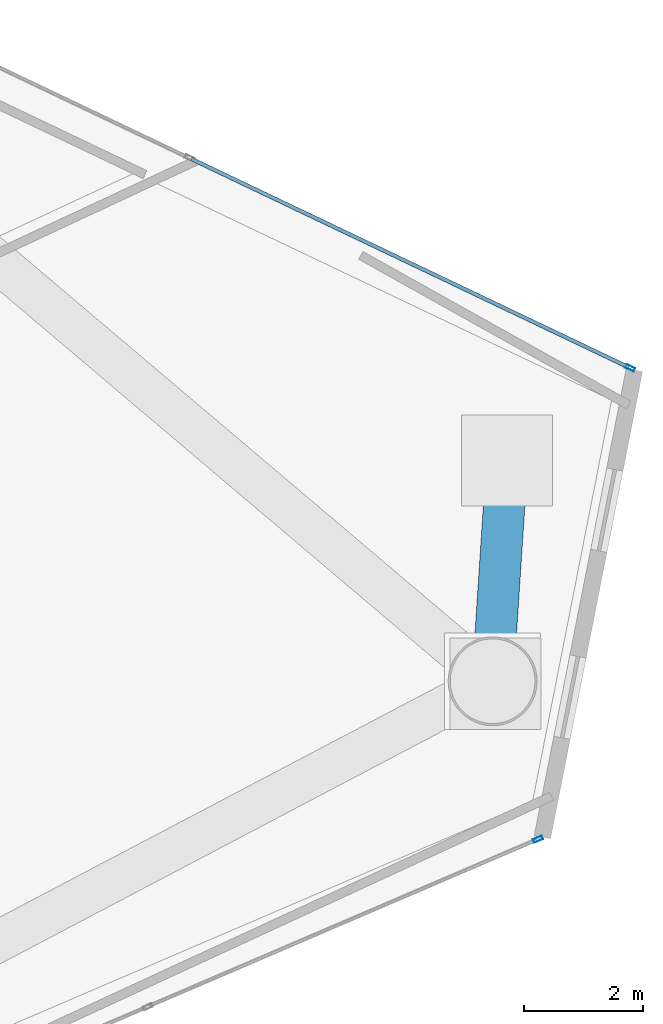
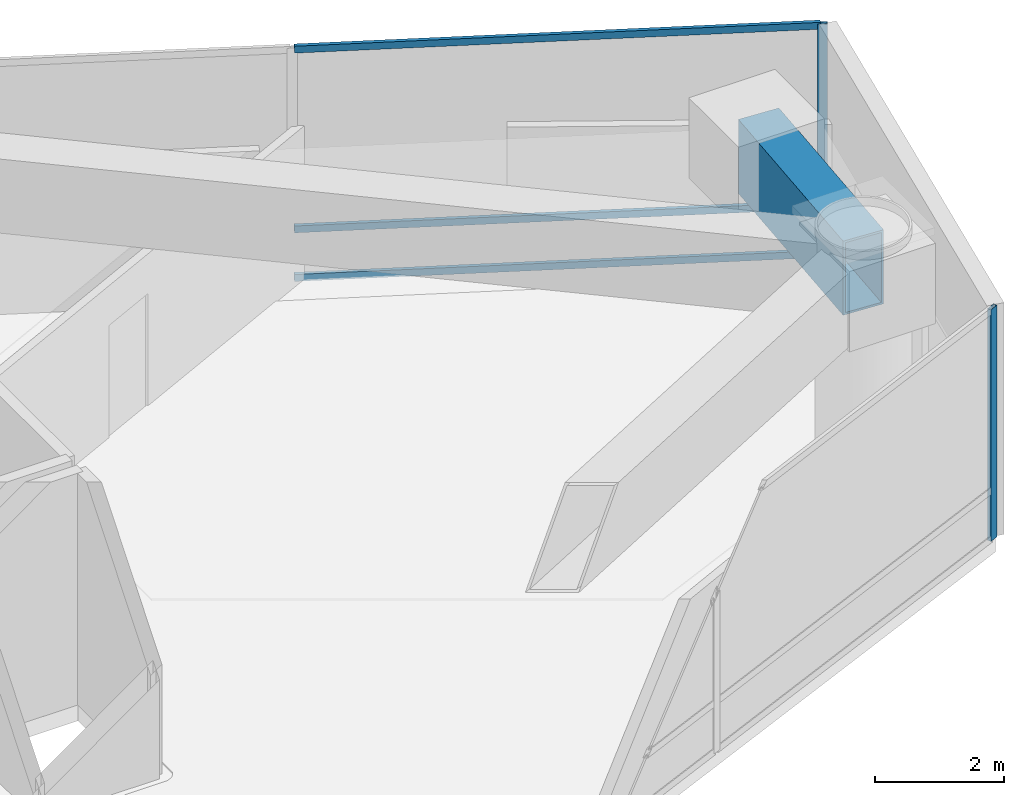
# One storey, part 15 of 22: 5 members, 1 beam, 2 elements without a shape of their own.
"""IFC4 building model written with IfcOpenShell, lengths in metres."""

from ifc_helpers import new_model, si_unit, direction, frame, origin, origin_2d, place, context, subcontext, project, spatial, hollow_rectangle, extrude, material, layer, layer_set, material_profile, profile_set, type_object, element, aggregate, save


model = new_model("IFC4")

# Units and contexts
model_context = context("Model", 3, precision=1e-05, world=origin(), true_north=direction((0.0, 1.0)))
body_context = subcontext(model_context, "Body", "Model", "MODEL_VIEW")
ifc_project = project(units=[si_unit("LENGTHUNIT", "METRE"), si_unit("AREAUNIT", "SQUARE_METRE"), si_unit("VOLUMEUNIT", "CUBIC_METRE"), si_unit("PLANEANGLEUNIT", "RADIAN"), si_unit("MASSUNIT", "GRAM", prefix="KILO")], contexts=[model_context])

# Site, building, storey
site_placement = place(None, origin())
site = spatial("IfcSite", under=ifc_project, at=site_placement, CompositionType="ELEMENT")
building_placement = place(site_placement, origin())
building = spatial("IfcBuilding", under=site, at=building_placement, Name="Qianvela Tower", CompositionType="ELEMENT")
storey_placement = place(building_placement, frame((0.0, 0.0, 138.5)))
storey = spatial("IfcBuildingStorey", under=building, at=storey_placement, Name="L35", CompositionType="ELEMENT", Elevation=138.5)

# Beam
ifc_material_1 = material(Name="Steel Q420GJC", Category="steel")
ifc_material_profile_1 = material_profile(ifc_material_1, hollow_rectangle(XDim=0.699951171875, YDim=1.39990234375, WallThickness=0.0400390625, at=origin_2d()), Name="TG-BOX-1400x700x40")
ifc_profile_set_1 = profile_set([ifc_material_profile_1], Name="Steel Q420GJC")
beam_type = type_object("IfcBeamType", Name="BM-TG-STEP-1400", PredefinedType="BEAM", material=ifc_profile_set_1)
beam_placement = place(storey_placement, frame((57.194091796875, 23.9580078125, 3.677978515625), z_axis=(0.065432156024, 0.997857020298, 0.0), x_axis=(-0.997857020298, 0.065432156024, 0.0)))
element("IfcBeam", 1, at=beam_placement, inside=storey, type_object=beam_type, Name="L35 Zone-Step Transfer Girder 1", PredefinedType="BEAM", context=body_context, shape_type="SweptSolid", body=[
    extrude(hollow_rectangle(XDim=0.699951171875, YDim=1.39990234375, WallThickness=0.0400390625, at=origin_2d()), origin(), (0.0, 0.0, 1.0), 3.667724609375),
])

# Curtain wall, member
ifc_material_2 = material(Name="Anodised Architectural Aluminium and Low-E Glass", Category="aluminium")
ifc_layer = layer(ifc_material_2, 0.169921875)
ifc_layer_set = layer_set([ifc_layer], Name="Anodised Architectural Aluminium and Low-E Glass")
curtain_wall_type = type_object("IfcCurtainWallType", Name="CW-COLIV-Z34", PredefinedType="USERDEFINED", material=ifc_layer_set)
curtain_wall_1_placement = place(storey_placement, origin())
curtain_wall_1 = element("IfcCurtainWall", 2, at=curtain_wall_1_placement, inside=storey, type_object=curtain_wall_type, Name="L35 CW-COLIV-Z34 Curtain Wall 02A", ObjectType="CURTAIN_WALL_SYSTEM", PredefinedType="USERDEFINED")
ifc_material_3 = material(Name="Anodised Architectural Aluminium 6063-T6", Category="aluminium")
ifc_material_profile_2 = material_profile(ifc_material_3, hollow_rectangle(XDim=0.06494140625, YDim=0.159912109375, WallThickness=0.0048828125, at=origin_2d()), Name="ALU-MULL-65x160")
ifc_profile_set_2 = profile_set([ifc_material_profile_2], Name="Anodised Architectural Aluminium 6063-T6")
member_type_1 = type_object("IfcMemberType", Name="CW-COLIV-Z34-MULL", PredefinedType="MULLION", material=ifc_profile_set_2)
member_1_placement = place(storey_placement, frame((59.512939453125, 29.243896484375, 0.0), z_axis=(0.0, 0.0, 1.0), x_axis=(-0.430089499063, -0.90278625532, 0.0)))
member_1 = element("IfcMember", 3, at=member_1_placement, type_object=member_type_1, Name="CW-4 mullion 1", PredefinedType="MULLION", context=body_context, shape_type="SweptSolid", body=[
    extrude(hollow_rectangle(XDim=0.06494140625, YDim=0.159912109375, WallThickness=0.0048828125, at=origin_2d()), origin(), (0.0, 0.0, 1.0), 4.3798828125),
])

curtain_wall_2_placement = place(storey_placement, origin())
curtain_wall_2 = element("IfcCurtainWall", 4, at=curtain_wall_2_placement, inside=storey, type_object=curtain_wall_type, Name="L35 CW-COLIV-Z34 Curtain Wall 06C", ObjectType="CURTAIN_WALL_SYSTEM", PredefinedType="USERDEFINED")
member_2_placement = place(storey_placement, frame((57.958740234375, 21.292724609375, 0.0), z_axis=(0.0, 0.0, 1.0), x_axis=(-0.394471812276, 0.918908041819, 0.0)))
member_2 = element("IfcMember", 5, at=member_2_placement, type_object=member_type_1, Name="CW-4 mullion 3", PredefinedType="MULLION", context=body_context, shape_type="SweptSolid", body=[
    extrude(hollow_rectangle(XDim=0.06494140625, YDim=0.159912109375, WallThickness=0.0048828125, at=origin_2d()), origin(), (0.0, 0.0, 1.0), 4.3798828125),
])
aggregate(curtain_wall_2, [member_2])

# Member
ifc_material_4 = material(Name="Anodised Architectural Aluminium 6063-T6", Category="aluminium")
ifc_material_profile_3 = material_profile(ifc_material_4, hollow_rectangle(XDim=0.06494140625, YDim=0.1298828125, WallThickness=0.00439453125, at=origin_2d()), Name="ALU-TRAN-65x130")
ifc_profile_set_3 = profile_set([ifc_material_profile_3], Name="Anodised Architectural Aluminium 6063-T6")
member_type_2 = type_object("IfcMemberType", Name="CW-COLIV-Z34-TRAN", PredefinedType="USERDEFINED", material=ifc_profile_set_3)
member_3_placement = place(storey_placement, frame((59.483642578125, 29.2578125, 0.032470703125), z_axis=(-0.902789783126, 0.430082093888, 0.0), x_axis=(-0.430082093888, -0.902789783126, 0.0)))
member_3 = element("IfcMember", 6, at=member_3_placement, type_object=member_type_2, Name="CW-4 transom 1.1", ObjectType="TRANSOM", PredefinedType="USERDEFINED", context=body_context, shape_type="SweptSolid", body=[
    extrude(hollow_rectangle(XDim=0.06494140625, YDim=0.1298828125, WallThickness=0.00439453125, at=origin_2d()), origin(), (0.0, 0.0, 1.0), 8.16748046875),
])

member_4_placement = place(storey_placement, frame((59.483642578125, 29.2578125, 0.949951171875), z_axis=(-0.902789783126, 0.430082093888, 0.0), x_axis=(-0.430082093888, -0.902789783126, 0.0)))
member_4 = element("IfcMember", 7, at=member_4_placement, type_object=member_type_2, Name="CW-4 transom 1.2", ObjectType="TRANSOM", PredefinedType="USERDEFINED", context=body_context, shape_type="SweptSolid", body=[
    extrude(hollow_rectangle(XDim=0.06494140625, YDim=0.1298828125, WallThickness=0.00439453125, at=origin_2d()), origin(), (0.0, 0.0, 1.0), 8.16748046875),
])

member_5_placement = place(storey_placement, frame((59.483642578125, 29.2578125, 4.347412109375), z_axis=(-0.902789783126, 0.430082093888, 0.0), x_axis=(-0.430082093888, -0.902789783126, 0.0)))
member_5 = element("IfcMember", 8, at=member_5_placement, type_object=member_type_2, Name="CW-4 transom 1.3", ObjectType="TRANSOM", PredefinedType="USERDEFINED", context=body_context, shape_type="SweptSolid", body=[
    extrude(hollow_rectangle(XDim=0.06494140625, YDim=0.1298828125, WallThickness=0.00439453125, at=origin_2d()), origin(), (0.0, 0.0, 1.0), 8.16748046875),
])

aggregate(curtain_wall_1, [member_1, member_3, member_4, member_5])

save(model, "model.ifc")
